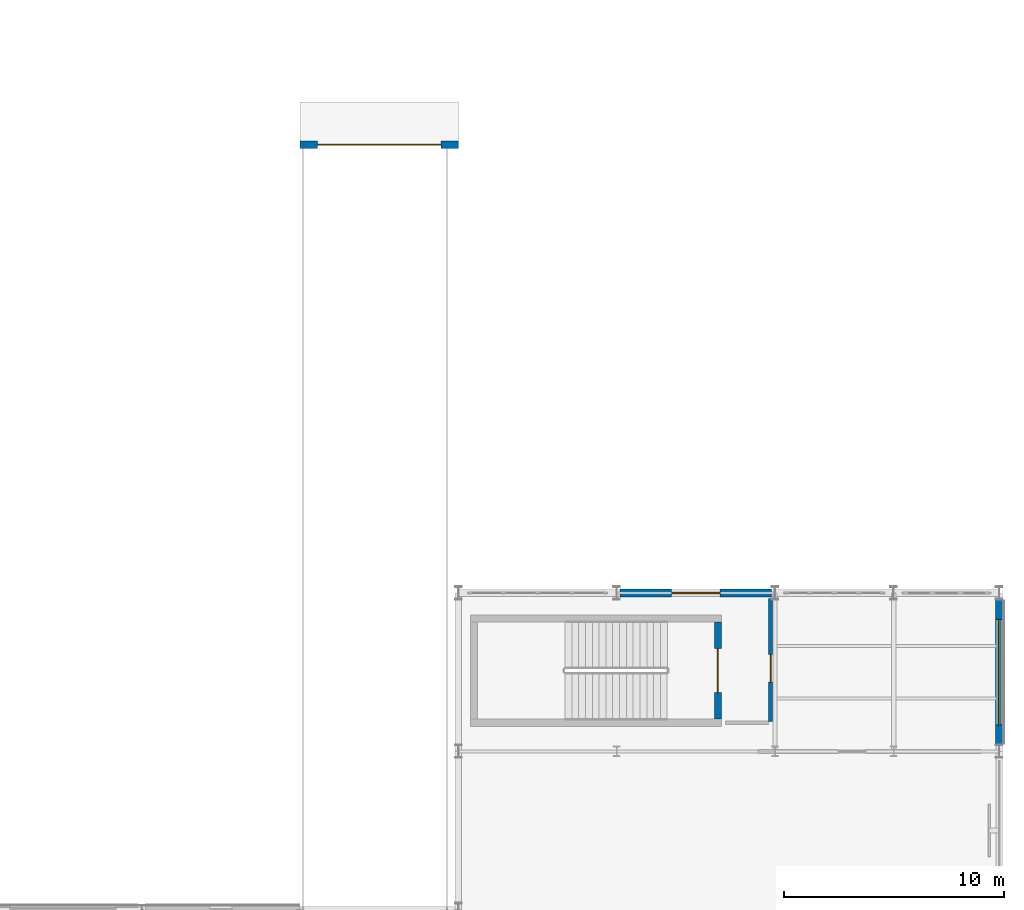
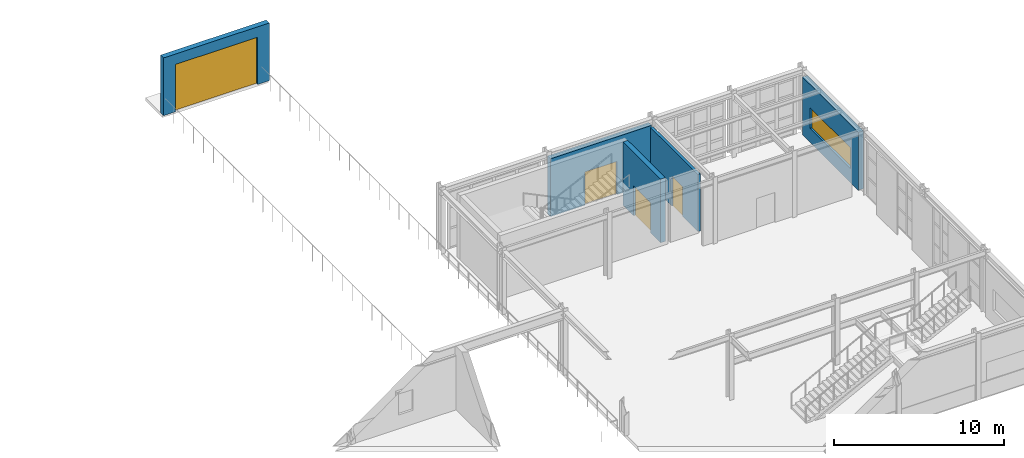
# One storey, part 65 of 83: 5 walls, 4 doors, 1 window, 5 openings.
"""IFC4 building model written with IfcOpenShell, lengths in metres."""

import ifcopenshell
import ifcopenshell.guid

model = None  # the IFC model being written
_history = None  # IfcOwnerHistory: only IFC2X3 demands one
_inside = {}  # id of a spatial element -> (the spatial element, [elements in it])
_under = {}  # id of a project, library or spatial element -> (it, [spatial elements below it])
_declared = {}  # id of a project -> (the project, [libraries it declares])
_typed = {}  # id of a type object -> (the type object, [elements of that type])
_made_of = {}  # id of a material, layer set ... -> (it, [elements and type objects made of it])


def new_model(schema):
    """Start an empty IFC model of exactly this schema.

    Asked for "IFC4X3", IfcOpenShell would pick the latest addendum, in which some entities
    have other attributes; the version numbers below select the first issue.
    IFC2X3 requires an IfcOwnerHistory on every rooted entity: one is made here for all.
    """
    global model, _history
    if schema == "IFC4X3":
        model = ifcopenshell.file(schema_version=(4, 3, 0, 0))
    else:
        model = ifcopenshell.file(schema=schema)
    _inside.clear()
    _under.clear()
    _declared.clear()
    _typed.clear()
    _made_of.clear()
    _history = None
    if model.schema == "IFC2X3":
        org = make("IfcOrganization", Name="unknown")
        user = make(
            "IfcPersonAndOrganization",
            ThePerson=make("IfcPerson", FamilyName="unknown"),
            TheOrganization=org,
        )
        app = make(
            "IfcApplication",
            ApplicationDeveloper=org,
            Version="unknown",
            ApplicationFullName="unknown",
            ApplicationIdentifier="unknown",
        )
        _history = make(
            "IfcOwnerHistory",
            OwningUser=user,
            OwningApplication=app,
            ChangeAction="ADDED",
            CreationDate=0,
        )
    return model


def make(cls, **values):
    """One entity of the class cls with the attributes given. An attribute that is None is left unset."""
    return model.create_entity(
        cls, **{name: value for name, value in values.items() if value is not None}
    )


def rooted(cls, **values):
    """An entity with a GlobalId (a new one), such as an element, a storey or a relation."""
    return make(cls, GlobalId=ifcopenshell.guid.new(), OwnerHistory=_history, **values)


def si_unit(unit_type, name, prefix=None):
    """IfcSIUnit, for example si_unit("LENGTHUNIT", "METRE", prefix="MILLI")."""
    return make("IfcSIUnit", UnitType=unit_type, Prefix=prefix, Name=name)


def assignment(units):
    """IfcUnitAssignment: the units of a project."""
    return None if units is None else make("IfcUnitAssignment", Units=units)


def point(xyz):
    """IfcCartesianPoint."""
    return None if xyz is None else make("IfcCartesianPoint", Coordinates=xyz)


def direction(xyz):
    """IfcDirection."""
    return None if xyz is None else make("IfcDirection", DirectionRatios=xyz)


def frame(location, z_axis=None, x_axis=None):
    """IfcAxis2Placement3D, a coordinate frame: its origin and axes. An axis left out is left unset."""
    return make(
        "IfcAxis2Placement3D",
        Location=point(location),
        Axis=direction(z_axis),
        RefDirection=direction(x_axis),
    )


def frame_2d(location, x_axis=None):
    """IfcAxis2Placement2D, a coordinate frame in the plane: its origin and x axis."""
    return make(
        "IfcAxis2Placement2D", Location=point(location), RefDirection=direction(x_axis)
    )


def origin():
    """The frame at (0, 0, 0) with its axes left unset."""
    return frame((0.0, 0.0, 0.0))


def place(relative_to, where):
    """IfcLocalPlacement: puts the frame where relative to a parent placement (None: the world)."""
    return make(
        "IfcLocalPlacement", PlacementRelTo=relative_to, RelativePlacement=where
    )


def context(
    kind, dimensions, precision=None, world=None, true_north=None, identifier=None
):
    """IfcGeometricRepresentationContext, for example the 3D "Model" context."""
    return make(
        "IfcGeometricRepresentationContext",
        ContextIdentifier=identifier,
        ContextType=kind,
        CoordinateSpaceDimension=dimensions,
        Precision=precision,
        WorldCoordinateSystem=world,
        TrueNorth=true_north,
    )


def subcontext(parent, identifier, kind, view, scale=None):
    """IfcGeometricRepresentationSubContext, for example "Body" below "Model"."""
    return make(
        "IfcGeometricRepresentationSubContext",
        ContextIdentifier=identifier,
        ContextType=kind,
        ParentContext=parent,
        TargetScale=scale,
        TargetView=view,
    )


def project(units=None, contexts=None):
    """IfcProject with its units and contexts."""
    return rooted(
        "IfcProject",
        Name="project",
        RepresentationContexts=contexts,
        UnitsInContext=assignment(units),
    )


def spatial(cls, under=None, at=None, **own):
    """A site, building, storey or space (cls), placed at a placement, below another one or the project."""
    s = rooted(cls, ObjectPlacement=at, **own)
    if under is not None:
        _under.setdefault(under.id(), (under, []))[1].append(s)
    return s


def profile(cls, at=None, kind="AREA", **sizes):
    """A parametric profile (cls). Its sizes go by their IFC names, for example OverallWidth=200.0."""
    return make(cls, ProfileType=kind, Position=at, **sizes)


def rectangle(**sizes):
    """IfcRectangleProfileDef."""
    return profile("IfcRectangleProfileDef", **sizes)


def extrude(swept, where, along, depth):
    """IfcExtrudedAreaSolid: the profile swept, set in the frame where, extruded along a direction by depth."""
    return make(
        "IfcExtrudedAreaSolid",
        SweptArea=swept,
        Position=where,
        ExtrudedDirection=direction(along),
        Depth=depth,
    )


def shape(context_of_items, identifier, shape_type, items):
    """IfcShapeRepresentation: the items that make up one representation, for example the "Body"."""
    return make(
        "IfcShapeRepresentation",
        ContextOfItems=context_of_items,
        RepresentationIdentifier=identifier,
        RepresentationType=shape_type,
        Items=items,
    )


def material(Name=None, Category=None):
    """IfcMaterial."""
    return make("IfcMaterial", Name=Name, Category=Category)


def layer(
    of_material, thickness, ventilated=None, Name=None, Category=None, Priority=None
):
    """IfcMaterialLayer: one layer of a wall or slab, of a material (None: an air gap)."""
    return make(
        "IfcMaterialLayer",
        Material=of_material,
        LayerThickness=thickness,
        IsVentilated=ventilated,
        Name=Name,
        Category=Category,
        Priority=Priority,
    )


def layer_set(layers, Name=None):
    """IfcMaterialLayerSet."""
    return make("IfcMaterialLayerSet", MaterialLayers=layers, LayerSetName=Name)


def made_of(thing, what):
    """Note that an element or type object is made of a material, layer set ...; save() writes the relation."""
    if what is not None:
        _made_of.setdefault(what.id(), (what, []))[1].append(thing)
    return thing


def type_object(cls, material=None, **own):
    """A type object (cls), such as IfcWallType, which elements share."""
    return made_of(rooted(cls, **own), material)


def element(
    cls,
    number,
    at=None,
    inside=None,
    cuts=None,
    type_object=None,
    material=None,
    context=None,
    identifier="Body",
    shape_type=None,
    held_by="IfcProductDefinitionShape",
    body=None,
    shapes=None,
    **own,
):
    """One element of the class cls, such as IfcWall. Its Tag is "e" and its number.

    at: its placement. inside: the storey or other place that contains it. cuts: it is an
    opening in that element (IfcRelVoidsElement). A single representation is given by context,
    identifier, shape_type and body (its items); several are given by shapes. held_by: the class
    of the entity that holds the representations. save() writes the other relations.
    """
    e = rooted(cls, Tag="e%d" % number, ObjectPlacement=at, **own)
    if body is not None:
        shapes = [shape(context, identifier, shape_type, body)]
    if shapes is not None:
        e.Representation = make(held_by, Representations=shapes)
    if inside is not None:
        _inside.setdefault(inside.id(), (inside, []))[1].append(e)
    if cuts is not None:
        rooted(
            "IfcRelVoidsElement", RelatingBuildingElement=cuts, RelatedOpeningElement=e
        )
    if type_object is not None:
        _typed.setdefault(type_object.id(), (type_object, []))[1].append(e)
    return made_of(e, material)


def fill(opening, filler):
    """IfcRelFillsElement: the door or window that sits in an opening."""
    return rooted(
        "IfcRelFillsElement",
        RelatingOpeningElement=opening,
        RelatedBuildingElement=filler,
    )


def aggregate(whole, parts):
    """IfcRelAggregates: a whole, such as a stair, and the parts it consists of."""
    return rooted("IfcRelAggregates", RelatingObject=whole, RelatedObjects=parts)


def save(model, path):
    """Write the relations noted so far, then the file.

    IfcRelAggregates (storeys below a building ...), IfcRelContainedInSpatialStructure (elements
    in a storey), IfcRelDefinesByType, IfcRelAssociatesMaterial and IfcRelDeclares: one each for
    every whole, place, type object, material and project.
    """
    for whole, parts in _under.values():
        aggregate(whole, parts)
    for where, things in _inside.values():
        rooted(
            "IfcRelContainedInSpatialStructure",
            RelatedElements=things,
            RelatingStructure=where,
        )
    for kind, things in _typed.values():
        rooted("IfcRelDefinesByType", RelatedObjects=things, RelatingType=kind)
    for what, things in _made_of.values():
        rooted("IfcRelAssociatesMaterial", RelatedObjects=things, RelatingMaterial=what)
    for by, libraries in _declared.values():
        rooted("IfcRelDeclares", RelatingContext=by, RelatedDefinitions=libraries)
    model.write(path)


model = new_model("IFC4")

# Units and contexts
model_context = context("Model", 3, precision=1e-05, world=origin(), true_north=direction((0.0, 1.0)))
body_context = subcontext(model_context, "Body", "Model", "MODEL_VIEW")
ifc_project = project(units=[si_unit("LENGTHUNIT", "METRE"), si_unit("AREAUNIT", "SQUARE_METRE"), si_unit("VOLUMEUNIT", "CUBIC_METRE"), si_unit("PLANEANGLEUNIT", "RADIAN"), si_unit("MASSUNIT", "GRAM", prefix="KILO")], contexts=[model_context])

# Site, building, storey
site_placement = place(None, origin())
site = spatial("IfcSite", under=ifc_project, at=site_placement, CompositionType="ELEMENT")
building_placement = place(site_placement, origin())
building = spatial("IfcBuilding", under=site, at=building_placement, Name="Solvadek Multi-Sports Hall", CompositionType="ELEMENT")
storey_placement = place(building_placement, origin())
storey = spatial("IfcBuildingStorey", under=building, at=storey_placement, Name="L00", CompositionType="ELEMENT", Elevation=0.0)

# Wall, opening, door
ifc_material_1 = material(Name="Fired Deccan terracotta brick masonry", Category="masonry")
ifc_layer_1 = layer(ifc_material_1, 0.35009765625, Name="Fired Deccan terracotta brick masonry")
ifc_layer_set_1 = layer_set([ifc_layer_1], Name="Fired Deccan terracotta brick masonry")
wall_type_1 = type_object("IfcWallType", Name="ENV-WAL-EXT350", PredefinedType="SOLIDWALL", material=ifc_layer_set_1)
wall_1_placement = place(storey_placement, frame((129.60009765625, 91.199951171875, 0.0), z_axis=(0.0, 0.0, 1.0), x_axis=(1.0, 0.0, 0.0)))
wall_1 = element("IfcWall", 1, at=wall_1_placement, inside=storey, type_object=wall_type_1, Name="L00 Exterior Masonry Wall #259", PredefinedType="SOLIDWALL", context=body_context, shape_type="SweptSolid", body=[
    extrude(rectangle(XDim=7.199951171875, YDim=0.35009765625, at=frame_2d((3.60009765625, 0.0))), origin(), (0.0, 0.0, 1.0), 4.14990234375),
])
opening_1_placement = place(wall_1_placement, frame((0.800048828125, 0.0, 0.0)))
opening_1 = element("IfcOpeningElement", 2, at=opening_1_placement, cuts=wall_1, Name="Opening VG-02", PredefinedType="OPENING", context=body_context, shape_type="SweptSolid", body=[
    extrude(rectangle(XDim=5.60009765625, YDim=3.39990234375, at=frame_2d((2.800048828125, 1.699951171875))), frame((0.0, 0.18505859375, 0.0), z_axis=(0.0, -1.0, 0.0), x_axis=(1.0, 0.0, 0.0)), (0.0, 0.0, 1.0), 0.3701171875),
])
ifc_material_2 = material(Name="Steel E250 (250 MPa)", Category="steel")
door_type_1 = type_object("IfcDoorType", Name="ENV-DOR-VG560X340", OperationType="ROLLINGUP", PredefinedType="GATE", material=ifc_material_2)
door_1_placement = place(opening_1_placement, origin())
door_1 = element("IfcDoor", 3, at=door_1_placement, inside=storey, type_object=door_type_1, Name="East Car Park Ramp Roller Shutter Gate VG-02", OperationType="ROLLINGUP", OverallHeight=3.39990234375, OverallWidth=5.60009765625, PredefinedType="GATE", context=body_context, shape_type="SweptSolid", body=[
    extrude(rectangle(XDim=5.60009765625, YDim=3.39990234375, at=frame_2d((2.800048828125, 1.699951171875))), frame((0.0, 0.02490234375, 0.0), z_axis=(0.0, -1.0, 0.0), x_axis=(1.0, 0.0, 0.0)), (0.0, 0.0, 1.0), 0.050048828125),
])
fill(opening_1, door_1)

wall_2_placement = place(storey_placement, frame((144.154052734375, 70.800048828125, 0.0), z_axis=(0.0, 0.0, 1.0), x_axis=(1.0, 0.0, 0.0)))
wall_2 = element("IfcWall", 4, at=wall_2_placement, inside=storey, type_object=wall_type_1, Name="L00 Exterior Masonry Wall #268", PredefinedType="SOLIDWALL", context=body_context, shape_type="SweptSolid", body=[
    extrude(rectangle(XDim=6.891845703125, YDim=0.35009765625, at=frame_2d((3.44580078125, 0.0))), origin(), (0.0, 0.0, 1.0), 4.1650390625),
])
opening_2_placement = place(wall_2_placement, frame((2.345947265625, 0.0, 0.0)))
opening_2 = element("IfcOpeningElement", 5, at=opening_2_placement, cuts=wall_2, Name="Opening D-EX14", PredefinedType="OPENING", context=body_context, shape_type="SweptSolid", body=[
    extrude(rectangle(XDim=2.199951171875, YDim=2.39990234375, at=frame_2d((1.10009765625, 1.199951171875))), frame((0.0, 0.18505859375, 0.0), z_axis=(0.0, -1.0, 0.0), x_axis=(1.0, 0.0, 0.0)), (0.0, 0.0, 1.0), 0.3701171875),
])
ifc_material_3 = material(Name="Anodised aluminium", Category="aluminium")
door_type_2 = type_object("IfcDoorType", Name="ENV-DOR-EX220X240", OperationType="DOUBLE_DOOR_SINGLE_SWING", PredefinedType="DOOR", material=ifc_material_3)
door_2_placement = place(opening_2_placement, origin())
door_2 = element("IfcDoor", 6, at=door_2_placement, inside=storey, type_object=door_type_2, Name="Stair ST-06 Final Exit Door D-EX14", OperationType="DOUBLE_DOOR_SINGLE_SWING", OverallHeight=2.39990234375, OverallWidth=2.199951171875, PredefinedType="DOOR", context=body_context, shape_type="SweptSolid", body=[
    extrude(rectangle(XDim=2.199951171875, YDim=2.39990234375, at=frame_2d((1.10009765625, 1.199951171875))), frame((0.0, 0.02490234375, 0.0), z_axis=(0.0, -1.0, 0.0), x_axis=(1.0, 0.0, 0.0)), (0.0, 0.0, 1.0), 0.050048828125),
])
fill(opening_2, door_2)

# Wall, opening, window
wall_3_placement = place(storey_placement, frame((161.39990234375, 63.904052734375, 0.0), z_axis=(0.0, 0.0, 1.0), x_axis=(0.0, 1.0, 0.0)))
wall_3 = element("IfcWall", 7, at=wall_3_placement, inside=storey, type_object=wall_type_1, Name="L00 Exterior Masonry Wall #281", PredefinedType="SOLIDWALL", context=body_context, shape_type="SweptSolid", body=[
    extrude(rectangle(XDim=6.592041015625, YDim=0.35009765625, at=frame_2d((3.2958984375, 0.0))), origin(), (0.0, 0.0, 1.0), 4.1650390625),
])
opening_3_placement = place(wall_3_placement, frame((0.89599609375, 0.0, 1.0)))
opening_3 = element("IfcOpeningElement", 8, at=opening_3_placement, cuts=wall_3, Name="Opening WN-23", PredefinedType="OPENING", context=body_context, shape_type="SweptSolid", body=[
    extrude(rectangle(XDim=4.800048828125, YDim=1.5, at=frame_2d((2.39990234375, 0.75))), frame((0.0, 0.18505859375, 0.0), z_axis=(0.0, -1.0, 0.0), x_axis=(1.0, 0.0, 0.0)), (0.0, 0.0, 1.0), 0.3701171875),
])
ifc_material_4 = material(Name="Tempered laminated low-E glass", Category="glass")
window_type = type_object("IfcWindowType", Name="ENV-WIN-WN-23", PartitioningType="SINGLE_PANEL", PredefinedType="WINDOW", material=ifc_material_4)
window_placement = place(opening_3_placement, origin())
window = element("IfcWindow", 9, at=window_placement, inside=storey, type_object=window_type, Name="L00 Facade Window WN-23 #122", OverallHeight=1.5, OverallWidth=4.800048828125, PartitioningType="SINGLE_PANEL", PredefinedType="WINDOW", context=body_context, shape_type="SweptSolid", body=[
    extrude(rectangle(XDim=4.800048828125, YDim=1.5, at=frame_2d((2.39990234375, 0.75))), frame((0.0, 0.030029296875, 0.0), z_axis=(0.0, -1.0, 0.0), x_axis=(1.0, 0.0, 0.0)), (0.0, 0.0, 1.0), 0.06005859375),
])
fill(opening_3, window)

# Wall, opening, door
ifc_material_5 = material(Name="Autoclaved aerated concrete blockwork", Category="masonry")
ifc_layer_2 = layer(ifc_material_5, 0.179931640625, Name="Autoclaved aerated concrete blockwork")
ifc_layer_set_2 = layer_set([ifc_layer_2], Name="Autoclaved aerated concrete blockwork")
wall_type_2 = type_object("IfcWallType", Name="INT-WAL-PRT180", PredefinedType="PARTITIONING", material=ifc_layer_set_2)
wall_4_placement = place(storey_placement, frame((151.0, 64.949951171875, 0.0), z_axis=(0.0, 0.0, 1.0), x_axis=(0.0, 1.0, 0.0)))
wall_4 = element("IfcWall", 10, at=wall_4_placement, inside=storey, type_object=wall_type_2, Name="L00 Protected Exit Discharge Wall st06-dis-e", PredefinedType="PARTITIONING", context=body_context, shape_type="SweptSolid", body=[
    extrude(rectangle(XDim=5.60009765625, YDim=0.179931640625, at=frame_2d((2.800048828125, 0.0))), origin(), (0.0, 0.0, 1.0), 4.110107421875),
])
opening_4_placement = place(wall_4_placement, frame((1.800048828125, 0.0, 0.0)))
opening_4 = element("IfcOpeningElement", 11, at=opening_4_placement, cuts=wall_4, Name="Opening FD60B", PredefinedType="OPENING", context=body_context, shape_type="SweptSolid", body=[
    extrude(rectangle(XDim=1.25, YDim=2.14990234375, at=frame_2d((0.625, 1.074951171875))), frame((0.0, 0.099853515625, 0.0), z_axis=(0.0, -1.0, 0.0), x_axis=(1.0, 0.0, 0.0)), (0.0, 0.0, 1.0), 0.199951171875),
])
door_type_3 = type_object("IfcDoorType", Name="INT-DOR-FD125X215", OperationType="NOTDEFINED", PredefinedType="DOOR", material=ifc_material_2)
door_3_placement = place(opening_4_placement, frame((1.25, 0.0, 0.0), z_axis=(0.0, 0.0, 1.0), x_axis=(-1.0, 0.0, 0.0)))
door_3 = element("IfcDoor", 12, at=door_3_placement, inside=storey, type_object=door_type_3, Name="L00 Exit Discharge Vestibule Fire Door st06-dis-e", OperationType="SINGLE_SWING_LEFT", OverallHeight=2.14990234375, OverallWidth=1.25, PredefinedType="DOOR", context=body_context, shape_type="SweptSolid", body=[
    extrude(rectangle(XDim=1.25, YDim=2.14990234375, at=frame_2d((0.625, 1.074951171875))), frame((0.0, 0.02490234375, 0.0), z_axis=(0.0, -1.0, 0.0), x_axis=(1.0, 0.0, 0.0)), (0.0, 0.0, 1.0), 0.050048828125),
])
fill(opening_4, door_3)

ifc_material_6 = material(Name="Concrete M40", Category="concrete")
ifc_layer_3 = layer(ifc_material_6, 0.320068359375, Name="Concrete M40")
ifc_layer_set_3 = layer_set([ifc_layer_3], Name="Concrete M40")
wall_type_3 = type_object("IfcWallType", Name="INT-WAL-SHR320", PredefinedType="SHEAR", material=ifc_layer_set_3)
wall_5_placement = place(storey_placement, frame((148.60009765625, 65.06005859375, 0.0), z_axis=(0.0, 0.0, 1.0), x_axis=(0.0, 1.0, 0.0)))
wall_5 = element("IfcWall", 13, at=wall_5_placement, inside=storey, type_object=wall_type_3, Name="L00 Stair ST-06 Shear Wall E", PredefinedType="SHEAR", context=body_context, shape_type="SweptSolid", body=[
    extrude(rectangle(XDim=4.429931640625, YDim=0.320068359375, at=frame_2d((2.21484375, 0.0))), origin(), (0.0, 0.0, 1.0), 4.580078125),
])
opening_5_placement = place(wall_5_placement, frame((1.215087890625, 0.0, 0.0)))
opening_5 = element("IfcOpeningElement", 14, at=opening_5_placement, cuts=wall_5, Name="Opening FD120", PredefinedType="OPENING", context=body_context, shape_type="SweptSolid", body=[
    extrude(rectangle(XDim=2.0, YDim=2.14990234375, at=frame_2d((1.0, 1.074951171875))), frame((0.0, 0.169921875, 0.0), z_axis=(0.0, -1.0, 0.0), x_axis=(1.0, 0.0, 0.0)), (0.0, 0.0, 1.0), 0.340087890625),
])
door_type_4 = type_object("IfcDoorType", Name="INT-DOR-FD200X215", OperationType="DOUBLE_DOOR_SINGLE_SWING", PredefinedType="DOOR", material=ifc_material_2)
door_4_placement = place(opening_5_placement, origin())
door_4 = element("IfcDoor", 15, at=door_4_placement, inside=storey, type_object=door_type_4, Name="L00 Stair ST-06 Fire Door", OperationType="DOUBLE_DOOR_SINGLE_SWING", OverallHeight=2.14990234375, OverallWidth=2.0, PredefinedType="DOOR", context=body_context, shape_type="SweptSolid", body=[
    extrude(rectangle(XDim=2.0, YDim=2.14990234375, at=frame_2d((1.0, 1.074951171875))), frame((0.0, 0.02490234375, 0.0), z_axis=(0.0, -1.0, 0.0), x_axis=(1.0, 0.0, 0.0)), (0.0, 0.0, 1.0), 0.050048828125),
])
fill(opening_5, door_4)

save(model, "model.ifc")
